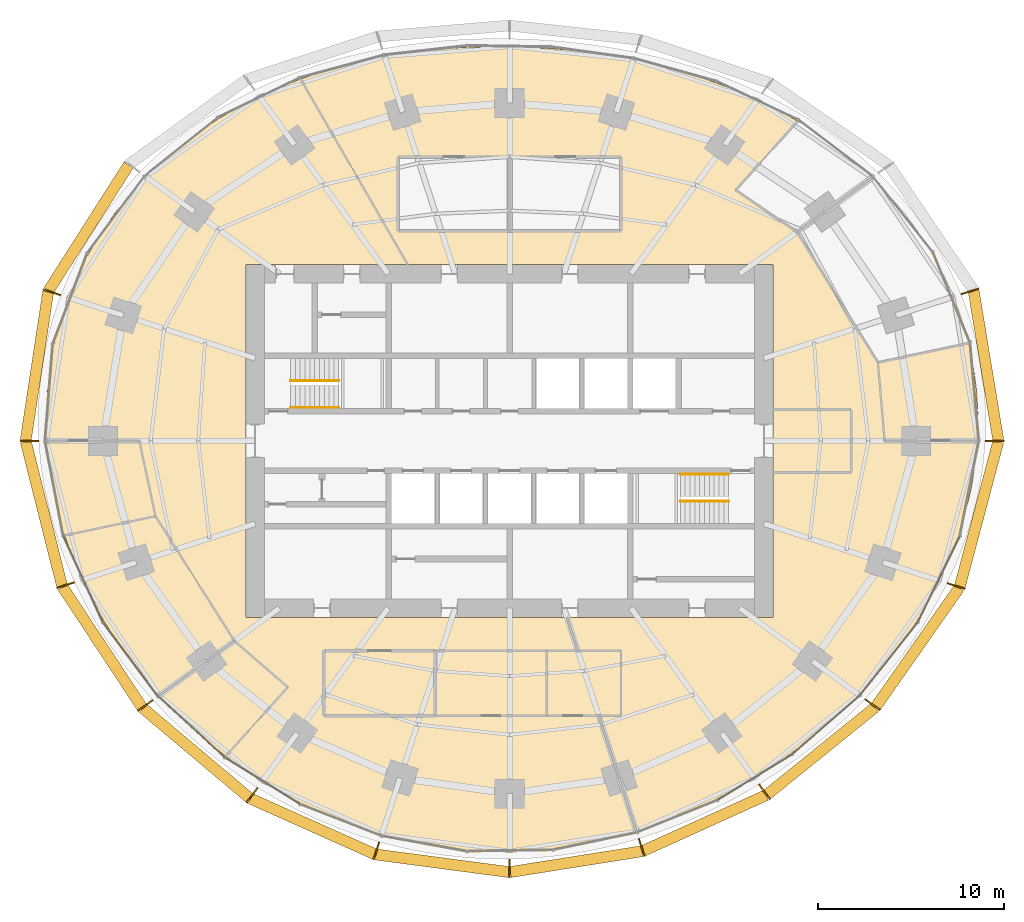
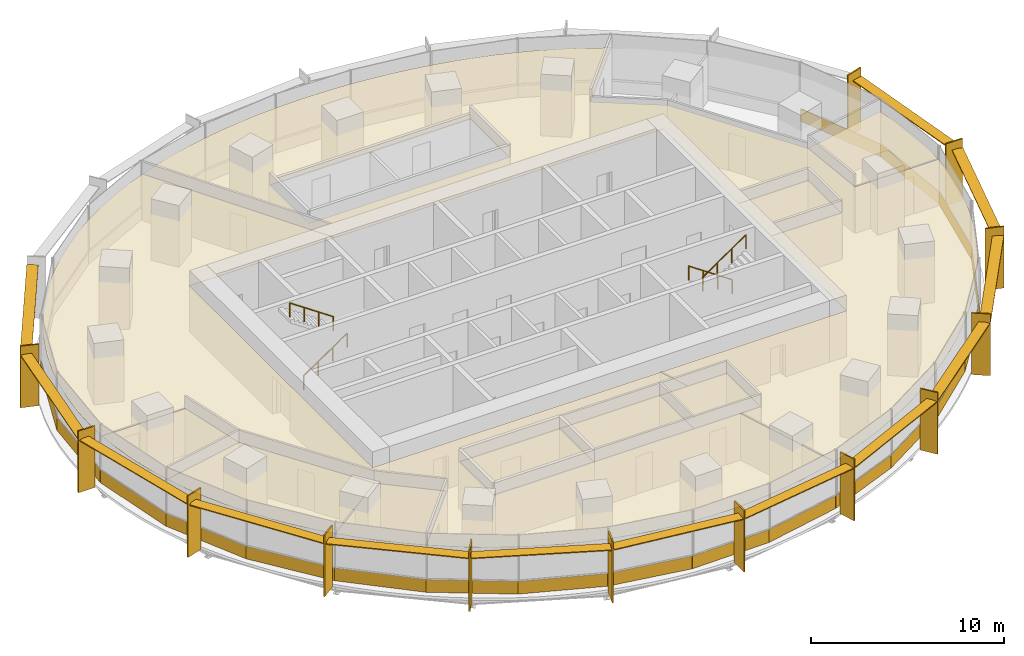
# One storey, part 13 of 14: 29 coverings, 26 shading devices, 4 railings.
"""IFC4 building model written with IfcOpenShell, lengths in metres."""

from ifc_helpers import new_model, si_unit, direction, frame, origin, origin_2d, place, context, subcontext, project, spatial, polyline, rectangle, circle, outline, extrude, material, layer, layer_set, type_object, element, save


model = new_model("IFC4")

# Units and contexts
model_context = context("Model", 3, precision=1e-05, world=origin(), true_north=direction((0.0, 1.0)))
body_context = subcontext(model_context, "Body", "Model", "MODEL_VIEW")
ifc_project = project(units=[si_unit("LENGTHUNIT", "METRE"), si_unit("AREAUNIT", "SQUARE_METRE"), si_unit("VOLUMEUNIT", "CUBIC_METRE"), si_unit("PLANEANGLEUNIT", "RADIAN"), si_unit("MASSUNIT", "GRAM", prefix="KILO")], contexts=[model_context])

# Site, building, storey
site_placement = place(None, origin())
site = spatial("IfcSite", under=ifc_project, at=site_placement, CompositionType="ELEMENT")
building_placement = place(site_placement, origin())
building = spatial("IfcBuilding", under=site, at=building_placement, Name="Marramba Exchange Tower", CompositionType="ELEMENT")
storey_placement = place(building_placement, frame((0.0, 0.0, 100.199951171875)))
storey = spatial("IfcBuildingStorey", under=building, at=storey_placement, Name="L23", CompositionType="ELEMENT", Elevation=100.199951171875)

# Shading devices
ifc_material_1 = material(Name="Aluminium blade, timber-look bronze finish", Category="wood")
ifc_layer_1 = layer(ifc_material_1, 0.080078125)
ifc_layer_set_1 = layer_set([ifc_layer_1], Name="Floor-edge blade 1000x80")
shading_device_type_1 = type_object("IfcShadingDeviceType", Name="Floor-edge blade 1000x80", PredefinedType="USERDEFINED", material=ifc_layer_set_1)
for number, where, z_axis, x_axis, name in (
    (1, (26.132080078125, 0.0, -0.159912109375), (0.0, 0.0, 1.0), (1.0, 0.0, 0.0), "Floor-edge blade FB1 L23 TC01"),
    (2, (24.798583984375, 8.0576171875, -0.159912109375), (0.0, 0.0, 1.0), (0.951056516295, 0.309016994375, 0.0), "Floor-edge blade FB1 L23 TC02"),
    (3, (-24.653076171875, 8.01025390625, -0.159912109375), (0.0, 0.0, 1.0), (-0.951056516295, 0.309016994375, 0.0), "Floor-edge blade FB1 L23 TC10"),
    (4, (-25.867919921875, 0.0, -0.159912109375), (0.0, 0.0, 1.0), (-1.0, 0.0, 0.0), "Floor-edge blade FB1 L23 TC11"),
    (5, (-23.90673828125, -7.767822265625, -0.159912109375), (0.0, 0.0, 1.0), (-0.951056516295, -0.309016994375, 0.0), "Floor-edge blade FB1 L23 TC12"),
    (6, (-19.618408203125, -14.253662109375, -0.159912109375), (0.0, 0.0, 1.0), (-0.809016994375, -0.587785252292, 0.0), "Floor-edge blade FB1 L23 TC13"),
    (7, (-13.866943359375, -19.08642578125, -0.159912109375), (0.0, 0.0, 1.0), (-0.587785252292, -0.809016994375, 0.0), "Floor-edge blade FB1 L23 TC14"),
    (8, (-7.173828125, -22.078857421875, -0.159912109375), (0.0, 0.0, 1.0), (-0.309016994375, -0.951056516295, 0.0), "Floor-edge blade FB1 L23 TC15"),
    (9, (0.0, -23.02685546875, -0.159912109375), (0.0, 0.0, 1.0), (0.0, -1.0, 0.0), "Floor-edge blade FB1 L23 TC16"),
    (10, (7.115966796875, -21.900634765625, -0.159912109375), (0.0, 0.0, 1.0), (0.309016994375, -0.951056516295, 0.0), "Floor-edge blade FB1 L23 TC17"),
    (11, (13.733154296875, -18.902099609375, -0.159912109375), (0.0, 0.0, 1.0), (0.587785252292, -0.809016994375, 0.0), "Floor-edge blade FB1 L23 TC18"),
    (12, (19.555908203125, -14.208251953125, -0.159912109375), (0.0, 0.0, 1.0), (0.809016994375, -0.587785252292, 0.0), "Floor-edge blade FB1 L23 TC19"),
    (13, (24.052001953125, -7.81494140625, -0.159912109375), (0.0, 0.0, 1.0), (0.951056516295, -0.309016994375, 0.0), "Floor-edge blade FB1 L23 TC20"),
):
    element("IfcShadingDevice", number, at=place(storey_placement, frame(where, z_axis=z_axis, x_axis=x_axis)), inside=storey, type_object=shading_device_type_1, Name=name, ObjectType="FIN", PredefinedType="USERDEFINED", context=body_context, shape_type="SweptSolid", body=[
        extrude(rectangle(XDim=1.0, YDim=0.080078125, at=origin_2d()), origin(), (0.0, 0.0, 1.0), 3.89990234375),
    ])
ifc_material_2 = material(Name="Aluminium sunshade, bronze anodised", Category="aluminium")
ifc_layer_2 = layer(ifc_material_2, 0.06005859375)
ifc_layer_set_2 = layer_set([ifc_layer_2], Name="SUNSHADE blade 600x60")
shading_device_type_2 = type_object("IfcShadingDeviceType", Name="SUNSHADE blade 600x60", PredefinedType="USERDEFINED", material=ifc_layer_set_2)
shading_device_1_placement = place(storey_placement, frame((25.660400390625, 4.0595703125, 3.159912109375), z_axis=(0.0, 0.0, 1.0), x_axis=(-0.163227675764, 0.986588427798, 0.0)))
element("IfcShadingDevice", 14, at=shading_device_1_placement, inside=storey, type_object=shading_device_type_2, Name="Sunshade SS1 L23 bay 01", ObjectType="SUNSHADE", PredefinedType="USERDEFINED", context=body_context, shape_type="SweptSolid", body=[
    extrude(rectangle(XDim=8.149658203125, YDim=0.60009765625, at=origin_2d()), origin(), (0.0, 0.0, 1.0), 0.06005859375),
])
shading_device_2_placement = place(storey_placement, frame((-22.6708984375, 11.482421875, 3.159912109375), z_axis=(0.0, 0.0, 1.0), x_axis=(-0.537284770546, -0.843400898351, 0.0)))
element("IfcShadingDevice", 15, at=shading_device_2_placement, inside=storey, type_object=shading_device_type_2, Name="Sunshade SS1 L23 bay 09", ObjectType="SUNSHADE", PredefinedType="USERDEFINED", context=body_context, shape_type="SweptSolid", body=[
    extrude(rectangle(XDim=8.007080078125, YDim=0.60009765625, at=origin_2d()), origin(), (0.0, 0.0, 1.0), 0.06005859375),
])
shading_device_3_placement = place(storey_placement, frame((-25.455810546875, 4.0361328125, 3.159912109375), z_axis=(0.0, 0.0, 1.0), x_axis=(-0.14999307077, -0.988687047918, 0.0)))
element("IfcShadingDevice", 16, at=shading_device_3_placement, inside=storey, type_object=shading_device_type_2, Name="Sunshade SS1 L23 bay 10", ObjectType="SUNSHADE", PredefinedType="USERDEFINED", context=body_context, shape_type="SweptSolid", body=[
    extrude(rectangle(XDim=8.08447265625, YDim=0.60009765625, at=origin_2d()), origin(), (0.0, 0.0, 1.0), 0.06005859375),
])
shading_device_4_placement = place(storey_placement, frame((-25.08251953125, -3.914794921875, 3.159912109375), z_axis=(0.0, 0.0, 1.0), x_axis=(0.244116522902, -0.969745906537, 0.0)))
element("IfcShadingDevice", 17, at=shading_device_4_placement, inside=storey, type_object=shading_device_type_2, Name="Sunshade SS1 L23 bay 11", ObjectType="SUNSHADE", PredefinedType="USERDEFINED", context=body_context, shape_type="SweptSolid", body=[
    extrude(rectangle(XDim=7.993896484375, YDim=0.60009765625, at=origin_2d()), origin(), (0.0, 0.0, 1.0), 0.06005859375),
])
shading_device_5_placement = place(storey_placement, frame((-21.938720703125, -11.100341796875, 3.159912109375), z_axis=(0.0, 0.0, 1.0), x_axis=(0.550792342935, -0.834642315585, 0.0)))
element("IfcShadingDevice", 18, at=shading_device_5_placement, inside=storey, type_object=shading_device_type_2, Name="Sunshade SS1 L23 bay 12", ObjectType="SUNSHADE", PredefinedType="USERDEFINED", context=body_context, shape_type="SweptSolid", body=[
    extrude(rectangle(XDim=7.757568359375, YDim=0.60009765625, at=origin_2d()), origin(), (0.0, 0.0, 1.0), 0.06005859375),
])
shading_device_6_placement = place(storey_placement, frame((-16.88232421875, -16.8095703125, 3.159912109375), z_axis=(0.0, 0.0, 1.0), x_axis=(0.76513863304, -0.643865569998, 0.0)))
element("IfcShadingDevice", 19, at=shading_device_6_placement, inside=storey, type_object=shading_device_type_2, Name="Sunshade SS1 L23 bay 13", ObjectType="SUNSHADE", PredefinedType="USERDEFINED", context=body_context, shape_type="SweptSolid", body=[
    extrude(rectangle(XDim=7.49462890625, YDim=0.60009765625, at=origin_2d()), origin(), (0.0, 0.0, 1.0), 0.06005859375),
])
shading_device_7_placement = place(storey_placement, frame((-10.610107421875, -20.758544921875, 3.159912109375), z_axis=(0.0, 0.0, 1.0), x_axis=(0.912735880581, -0.408550134377, 0.0)))
element("IfcShadingDevice", 20, at=shading_device_7_placement, inside=storey, type_object=shading_device_type_2, Name="Sunshade SS1 L23 bay 14", ObjectType="SUNSHADE", PredefinedType="USERDEFINED", context=body_context, shape_type="SweptSolid", body=[
    extrude(rectangle(XDim=7.314208984375, YDim=0.60009765625, at=origin_2d()), origin(), (0.0, 0.0, 1.0), 0.06005859375),
])
shading_device_8_placement = place(storey_placement, frame((-3.617919921875, -22.748046875, 3.159912109375), z_axis=(0.0, 0.0, 1.0), x_axis=(0.991350478855, -0.131241106646, 0.0)))
element("IfcShadingDevice", 21, at=shading_device_8_placement, inside=storey, type_object=shading_device_type_2, Name="Sunshade SS1 L23 bay 15", ObjectType="SUNSHADE", PredefinedType="USERDEFINED", context=body_context, shape_type="SweptSolid", body=[
    extrude(rectangle(XDim=7.21875, YDim=0.60009765625, at=origin_2d()), origin(), (0.0, 0.0, 1.0), 0.06005859375),
])
shading_device_9_placement = place(storey_placement, frame((3.5888671875, -22.658935546875, 3.159912109375), z_axis=(0.0, 0.0, 1.0), x_axis=(0.987704817912, 0.15633039587, 0.0)))
element("IfcShadingDevice", 22, at=shading_device_9_placement, inside=storey, type_object=shading_device_type_2, Name="Sunshade SS1 L23 bay 16", ObjectType="SUNSHADE", PredefinedType="USERDEFINED", context=body_context, shape_type="SweptSolid", body=[
    extrude(rectangle(XDim=7.18701171875, YDim=0.60009765625, at=origin_2d()), origin(), (0.0, 0.0, 1.0), 0.06005859375),
])
shading_device_10_placement = place(storey_placement, frame((10.514404296875, -20.577392578125, 3.159912109375), z_axis=(0.0, 0.0, 1.0), x_axis=(0.910692240548, 0.413085515366, 0.0)))
element("IfcShadingDevice", 23, at=shading_device_10_placement, inside=storey, type_object=shading_device_type_2, Name="Sunshade SS1 L23 bay 17", ObjectType="SUNSHADE", PredefinedType="USERDEFINED", context=body_context, shape_type="SweptSolid", body=[
    extrude(rectangle(XDim=7.24755859375, YDim=0.60009765625, at=origin_2d()), origin(), (0.0, 0.0, 1.0), 0.06005859375),
])
shading_device_11_placement = place(storey_placement, frame((16.7841796875, -16.69482421875, 3.159912109375), z_axis=(0.0, 0.0, 1.0), x_axis=(0.777962439436, 0.628310785223, 0.0)))
element("IfcShadingDevice", 24, at=shading_device_11_placement, inside=storey, type_object=shading_device_type_2, Name="Sunshade SS1 L23 bay 18", ObjectType="SUNSHADE", PredefinedType="USERDEFINED", context=body_context, shape_type="SweptSolid", body=[
    extrude(rectangle(XDim=7.46142578125, YDim=0.60009765625, at=origin_2d()), origin(), (0.0, 0.0, 1.0), 0.06005859375),
])
shading_device_12_placement = place(storey_placement, frame((21.97998046875, -11.101318359375, 3.159912109375), z_axis=(0.0, 0.0, 1.0), x_axis=(0.574350885858, 0.818609222959, 0.0)))
element("IfcShadingDevice", 25, at=shading_device_12_placement, inside=storey, type_object=shading_device_type_2, Name="Sunshade SS1 L23 bay 19", ObjectType="SUNSHADE", PredefinedType="USERDEFINED", context=body_context, shape_type="SweptSolid", body=[
    extrude(rectangle(XDim=7.7978515625, YDim=0.60009765625, at=origin_2d()), origin(), (0.0, 0.0, 1.0), 0.06005859375),
])
shading_device_13_placement = place(storey_placement, frame((25.287109375, -3.9384765625, 3.159912109375), z_axis=(0.0, 0.0, 1.0), x_axis=(0.256422950151, 0.966564674833, 0.0)))
element("IfcShadingDevice", 26, at=shading_device_13_placement, inside=storey, type_object=shading_device_type_2, Name="Sunshade SS1 L23 bay 20", ObjectType="SUNSHADE", PredefinedType="USERDEFINED", context=body_context, shape_type="SweptSolid", body=[
    extrude(rectangle(XDim=8.0693359375, YDim=0.60009765625, at=origin_2d()), origin(), (0.0, 0.0, 1.0), 0.06005859375),
])

# Coverings
ifc_material_3 = material(Name="Aluminium spandrel panel, bronze anodised, insulated", Category="aluminium")
ifc_layer_3 = layer(ifc_material_3, 0.050048828125)
ifc_layer_set_3 = layer_set([ifc_layer_3], Name="Spandrel panel 800")
covering_type_1 = type_object("IfcCoveringType", Name="Spandrel panel 800", PredefinedType="CLADDING", material=ifc_layer_set_3)
covering_1_placement = place(storey_placement, frame((25.04541015625, 2.63671875, 0.0), z_axis=(0.0, 0.0, 1.0), x_axis=(-0.089412890131, 0.995994646109, 0.0)))
element("IfcCovering", 27, at=covering_1_placement, inside=storey, type_object=covering_type_1, Name="Spandrel panel SP1 L23 F01", PredefinedType="CLADDING", context=body_context, shape_type="SweptSolid", body=[
    extrude(rectangle(XDim=5.29443359375, YDim=0.050048828125, at=origin_2d()), origin(), (0.0, 0.0, 1.0), 0.800048828125),
])
covering_2_placement = place(storey_placement, frame((23.81201171875, 7.715576171875, 0.0), z_axis=(0.0, 0.0, 1.0), x_axis=(-0.377821185272, 0.925878583811, 0.0)))
element("IfcCovering", 28, at=covering_2_placement, inside=storey, type_object=covering_type_1, Name="Spandrel panel SP1 L23 F02", PredefinedType="CLADDING", context=body_context, shape_type="SweptSolid", body=[
    extrude(rectangle(XDim=5.27587890625, YDim=0.050048828125, at=origin_2d()), origin(), (0.0, 0.0, 1.0), 0.800048828125),
])
covering_3_placement = place(storey_placement, frame((-23.671875, 7.677490234375, 0.0), z_axis=(0.0, 0.0, 1.0), x_axis=(-0.354844476365, -0.934925343326, 0.0)))
element("IfcCovering", 29, at=covering_3_placement, inside=storey, type_object=covering_type_1, Name="Spandrel panel SP1 L23 F14", PredefinedType="CLADDING", context=body_context, shape_type="SweptSolid", body=[
    extrude(rectangle(XDim=5.2373046875, YDim=0.050048828125, at=origin_2d()), origin(), (0.0, 0.0, 1.0), 0.800048828125),
])
covering_4_placement = place(storey_placement, frame((-24.8095703125, 2.614501953125, 0.0), z_axis=(0.0, 0.0, 1.0), x_axis=(-0.079459700697, -0.996838079111, 0.0)))
element("IfcCovering", 30, at=covering_4_placement, inside=storey, type_object=covering_type_1, Name="Spandrel panel SP1 L23 F15", PredefinedType="CLADDING", context=body_context, shape_type="SweptSolid", body=[
    extrude(rectangle(XDim=5.245849609375, YDim=0.050048828125, at=origin_2d()), origin(), (0.0, 0.0, 1.0), 0.800048828125),
])
covering_5_placement = place(storey_placement, frame((-24.5283203125, -2.5546875, 0.0), z_axis=(0.0, 0.0, 1.0), x_axis=(0.188227222909, -0.982125507538, 0.0)))
element("IfcCovering", 31, at=covering_5_placement, inside=storey, type_object=covering_type_1, Name="Spandrel panel SP1 L23 F16", PredefinedType="CLADDING", context=body_context, shape_type="SweptSolid", body=[
    extrude(rectangle(XDim=5.20263671875, YDim=0.050048828125, at=origin_2d()), origin(), (0.0, 0.0, 1.0), 0.800048828125),
])
covering_6_placement = place(storey_placement, frame((-22.973876953125, -7.43212890625, 0.0), z_axis=(0.0, 0.0, 1.0), x_axis=(0.416737850896, -0.909026712275, 0.0)))
element("IfcCovering", 32, at=covering_6_placement, inside=storey, type_object=covering_type_1, Name="Spandrel panel SP1 L23 F17", PredefinedType="CLADDING", context=body_context, shape_type="SweptSolid", body=[
    extrude(rectangle(XDim=5.10986328125, YDim=0.050048828125, at=origin_2d()), origin(), (0.0, 0.0, 1.0), 0.800048828125),
])
covering_7_placement = place(storey_placement, frame((-20.419921875, -11.75439453125, 0.0), z_axis=(0.0, 0.0, 1.0), x_axis=(0.597304701232, -0.802014397555, 0.0)))
element("IfcCovering", 33, at=covering_7_placement, inside=storey, type_object=covering_type_1, Name="Spandrel panel SP1 L23 F18", PredefinedType="CLADDING", context=body_context, shape_type="SweptSolid", body=[
    extrude(rectangle(XDim=4.986572265625, YDim=0.050048828125, at=origin_2d()), origin(), (0.0, 0.0, 1.0), 0.800048828125),
])
covering_8_placement = place(storey_placement, frame((-17.135986328125, -15.39599609375, 0.0), z_axis=(0.0, 0.0, 1.0), x_axis=(0.737821889246, -0.674995451651, 0.0)))
element("IfcCovering", 34, at=covering_8_placement, inside=storey, type_object=covering_type_1, Name="Spandrel panel SP1 L23 F19", PredefinedType="CLADDING", context=body_context, shape_type="SweptSolid", body=[
    extrude(rectangle(XDim=4.865234375, YDim=0.050048828125, at=origin_2d()), origin(), (0.0, 0.0, 1.0), 0.800048828125),
])
covering_9_placement = place(storey_placement, frame((-13.31787109375, -18.300537109375, 0.0), z_axis=(0.0, 0.0, 1.0), x_axis=(0.848354599309, -0.529428440708, 0.0)))
element("IfcCovering", 35, at=covering_9_placement, inside=storey, type_object=covering_type_1, Name="Spandrel panel SP1 L23 F20", PredefinedType="CLADDING", context=body_context, shape_type="SweptSolid", body=[
    extrude(rectangle(XDim=4.76953125, YDim=0.050048828125, at=origin_2d()), origin(), (0.0, 0.0, 1.0), 0.800048828125),
])
covering_10_placement = place(storey_placement, frame((-9.10302734375, -20.416748046875, 0.0), z_axis=(0.0, 0.0, 1.0), x_axis=(0.931818387481, -0.362924913381, 0.0)))
element("IfcCovering", 36, at=covering_10_placement, inside=storey, type_object=covering_type_1, Name="Spandrel panel SP1 L23 F21", PredefinedType="CLADDING", context=body_context, shape_type="SweptSolid", body=[
    extrude(rectangle(XDim=4.704345703125, YDim=0.050048828125, at=origin_2d()), origin(), (0.0, 0.0, 1.0), 0.800048828125),
])
covering_11_placement = place(storey_placement, frame((-4.616943359375, -21.685302734375, 0.0), z_axis=(0.0, 0.0, 1.0), x_axis=(0.984031866928, -0.177992373069, 0.0)))
element("IfcCovering", 37, at=covering_11_placement, inside=storey, type_object=covering_type_1, Name="Spandrel panel SP1 L23 F22", PredefinedType="CLADDING", context=body_context, shape_type="SweptSolid", body=[
    extrude(rectangle(XDim=4.662841796875, YDim=0.050048828125, at=origin_2d()), origin(), (0.0, 0.0, 1.0), 0.800048828125),
])
covering_12_placement = place(storey_placement, frame((-0.003662109375, -22.065185546875, 0.0), z_axis=(0.0, 0.0, 1.0), x_axis=(0.999884797651, 0.015178650325, 0.0)))
element("IfcCovering", 38, at=covering_12_placement, inside=storey, type_object=covering_type_1, Name="Spandrel panel SP1 L23 F23", PredefinedType="CLADDING", context=body_context, shape_type="SweptSolid", body=[
    extrude(rectangle(XDim=4.638916015625, YDim=0.050048828125, at=origin_2d()), origin(), (0.0, 0.0, 1.0), 0.800048828125),
])
covering_13_placement = place(storey_placement, frame((4.58447265625, -21.56103515625, 0.0), z_axis=(0.0, 0.0, 1.0), x_axis=(0.979310200528, 0.202364846604, 0.0)))
element("IfcCovering", 39, at=covering_13_placement, inside=storey, type_object=covering_type_1, Name="Spandrel panel SP1 L23 F24", PredefinedType="CLADDING", context=body_context, shape_type="SweptSolid", body=[
    extrude(rectangle(XDim=4.6337890625, YDim=0.050048828125, at=origin_2d()), origin(), (0.0, 0.0, 1.0), 0.800048828125),
])
covering_14_placement = place(storey_placement, frame((9.014892578125, -20.225341796875, 0.0), z_axis=(0.0, 0.0, 1.0), x_axis=(0.928148914987, 0.372209069755, 0.0)))
element("IfcCovering", 40, at=covering_14_placement, inside=storey, type_object=covering_type_1, Name="Spandrel panel SP1 L23 F25", PredefinedType="CLADDING", context=body_context, shape_type="SweptSolid", body=[
    extrude(rectangle(XDim=4.657958984375, YDim=0.050048828125, at=origin_2d()), origin(), (0.0, 0.0, 1.0), 0.800048828125),
])
covering_15_placement = place(storey_placement, frame((13.193115234375, -18.125244140625, 0.0), z_axis=(0.0, 0.0, 1.0), x_axis=(0.853109118827, 0.521732528576, 0.0)))
element("IfcCovering", 41, at=covering_15_placement, inside=storey, type_object=covering_type_1, Name="Spandrel panel SP1 L23 F26", PredefinedType="CLADDING", context=body_context, shape_type="SweptSolid", body=[
    extrude(rectangle(XDim=4.7275390625, YDim=0.050048828125, at=origin_2d()), origin(), (0.0, 0.0, 1.0), 0.800048828125),
])
covering_16_placement = place(storey_placement, frame((17.038818359375, -15.30029296875, 0.0), z_axis=(0.0, 0.0, 1.0), x_axis=(0.754385510875, 0.656431642277, 0.0)))
element("IfcCovering", 42, at=covering_16_placement, inside=storey, type_object=covering_type_1, Name="Spandrel panel SP1 L23 F27", PredefinedType="CLADDING", context=body_context, shape_type="SweptSolid", body=[
    extrude(rectangle(XDim=4.849609375, YDim=0.050048828125, at=origin_2d()), origin(), (0.0, 0.0, 1.0), 0.800048828125),
])
covering_17_placement = place(storey_placement, frame((20.425048828125, -11.747802734375, 0.0), z_axis=(0.0, 0.0, 1.0), x_axis=(0.621807470279, 0.783170141097, 0.0)))
element("IfcCovering", 43, at=covering_17_placement, inside=storey, type_object=covering_type_1, Name="Spandrel panel SP1 L23 F28", PredefinedType="CLADDING", context=body_context, shape_type="SweptSolid", body=[
    extrude(rectangle(XDim=5.00732421875, YDim=0.050048828125, at=origin_2d()), origin(), (0.0, 0.0, 1.0), 0.800048828125),
])
covering_18_placement = place(storey_placement, frame((23.114013671875, -7.47021484375, 0.0), z_axis=(0.0, 0.0, 1.0), x_axis=(0.439086346903, 0.898444867515, 0.0)))
element("IfcCovering", 44, at=covering_18_placement, inside=storey, type_object=covering_type_1, Name="Spandrel panel SP1 L23 F29", PredefinedType="CLADDING", context=body_context, shape_type="SweptSolid", body=[
    extrude(rectangle(XDim=5.156982421875, YDim=0.050048828125, at=origin_2d()), origin(), (0.0, 0.0, 1.0), 0.800048828125),
])
covering_19_placement = place(storey_placement, frame((24.76416015625, -2.576904296875, 0.0), z_axis=(0.0, 0.0, 1.0), x_axis=(0.197048514193, 0.980393738788, 0.0)))
element("IfcCovering", 45, at=covering_19_placement, inside=storey, type_object=covering_type_1, Name="Spandrel panel SP1 L23 F30", PredefinedType="CLADDING", context=body_context, shape_type="SweptSolid", body=[
    extrude(rectangle(XDim=5.2568359375, YDim=0.050048828125, at=origin_2d()), origin(), (0.0, 0.0, 1.0), 0.800048828125),
])

# Railings
ifc_material_4 = material(Name="Stainless steel handrail", Category="steel")
railing_type = type_object("IfcRailingType", Name="Stair handrail 900", PredefinedType="HANDRAIL", material=ifc_material_4)
railing_1_placement = place(storey_placement, frame((-11.800048828125, 1.800048828125, 0.17724609375)))
element("IfcRailing", 46, at=railing_1_placement, inside=storey, type_object=railing_type, Name="Handrail HR1 ST1 L23 flight 1", PredefinedType="HANDRAIL", context=body_context, shape_type="SweptSolid", body=[
    extrude(circle(Radius=0.02392578125, at=origin_2d()), frame((0.0, 0.0, 0.8759765625), z_axis=(0.826240473404, 0.0, 0.563317565952), x_axis=(0.0, 1.0, 0.0)), (0.0, 0.0, 1.0), 3.14697265625),
    extrude(circle(Radius=0.02099609375, at=origin_2d()), origin(), (0.0, 0.0, 1.0), 0.851806640625),
    extrude(circle(Radius=0.02099609375, at=origin_2d()), frame((0.86669921875, 0.0, 0.5908203125)), (0.0, 0.0, 1.0), 0.851806640625),
    extrude(circle(Radius=0.02099609375, at=origin_2d()), frame((1.7333984375, 0.0, 1.181884765625)), (0.0, 0.0, 1.0), 0.851806640625),
    extrude(circle(Radius=0.02099609375, at=origin_2d()), frame((2.60009765625, 0.0, 1.772705078125)), (0.0, 0.0, 1.0), 0.851806640625),
])
for number, where, name in (
    (47, (-9.199951171875, 3.25, 2.12744140625), "Handrail HR1 ST1 L23 flight 2"),
    (48, (11.800048828125, -1.800048828125, 0.17724609375), "Handrail HR1 ST2 L23 flight 1"),
):
    element("IfcRailing", number, at=place(storey_placement, frame(where)), inside=storey, type_object=railing_type, Name=name, PredefinedType="HANDRAIL", context=body_context, shape_type="SweptSolid", body=[
        extrude(circle(Radius=0.02392578125, at=origin_2d()), frame((0.0, 0.0, 0.8759765625), z_axis=(-0.826240473404, 0.0, 0.563317565952), x_axis=(0.0, -1.0, 0.0)), (0.0, 0.0, 1.0), 3.14697265625),
        extrude(circle(Radius=0.02099609375, at=origin_2d()), origin(), (0.0, 0.0, 1.0), 0.851806640625),
        extrude(circle(Radius=0.02099609375, at=origin_2d()), frame((-0.86669921875, 0.0, 0.5908203125)), (0.0, 0.0, 1.0), 0.851806640625),
        extrude(circle(Radius=0.02099609375, at=origin_2d()), frame((-1.7333984375, 0.0, 1.181884765625)), (0.0, 0.0, 1.0), 0.851806640625),
        extrude(circle(Radius=0.02099609375, at=origin_2d()), frame((-2.60009765625, 0.0, 1.772705078125)), (0.0, 0.0, 1.0), 0.851806640625),
    ])
railing_2_placement = place(storey_placement, frame((9.199951171875, -3.25, 2.12744140625)))
element("IfcRailing", 49, at=railing_2_placement, inside=storey, type_object=railing_type, Name="Handrail HR1 ST2 L23 flight 2", PredefinedType="HANDRAIL", context=body_context, shape_type="SweptSolid", body=[
    extrude(circle(Radius=0.02392578125, at=origin_2d()), frame((0.0, 0.0, 0.8759765625), z_axis=(0.826240473404, 0.0, 0.563317565952), x_axis=(0.0, 1.0, 0.0)), (0.0, 0.0, 1.0), 3.14697265625),
    extrude(circle(Radius=0.02099609375, at=origin_2d()), origin(), (0.0, 0.0, 1.0), 0.851806640625),
    extrude(circle(Radius=0.02099609375, at=origin_2d()), frame((0.86669921875, 0.0, 0.5908203125)), (0.0, 0.0, 1.0), 0.851806640625),
    extrude(circle(Radius=0.02099609375, at=origin_2d()), frame((1.7333984375, 0.0, 1.181884765625)), (0.0, 0.0, 1.0), 0.851806640625),
    extrude(circle(Radius=0.02099609375, at=origin_2d()), frame((2.60009765625, 0.0, 1.772705078125)), (0.0, 0.0, 1.0), 0.851806640625),
])

# Coverings
ifc_material_5 = material(Name="Mineral fibre ceiling tiles", Category="gypsum")
ifc_layer_4 = layer(ifc_material_5, 0.02001953125)
ifc_layer_set_4 = layer_set([ifc_layer_4], Name="Suspended ceiling 20")
covering_type_2 = type_object("IfcCoveringType", Name="Suspended ceiling 20", PredefinedType="CEILING", material=ifc_layer_set_4)
covering_20_placement = place(storey_placement, frame((0.0, 0.0, 2.900146484375)))
element("IfcCovering", 50, at=covering_20_placement, inside=storey, type_object=covering_type_2, Name="Ceiling CL1 L23 Market Supervision Office", PredefinedType="CEILING", context=body_context, shape_type="SweptSolid", body=[
    extrude(outline(polyline([(14.199951171875, -1.699951171875), (18.39990234375, -1.699951171875), (18.39990234375, 1.699951171875), (14.199951171875, 1.699951171875), (14.199951171875, 9.5), (-5.48486328125, 9.5), (-11.2548828125, 19.493896484375), (-10.127197265625, 19.875732421875), (-8.995361328125, 20.203857421875), (-7.862060546875, 20.4814453125), (-6.7294921875, 20.711181640625), (-5.59912109375, 20.896484375), (-4.47216796875, 21.0400390625), (-3.34912109375, 21.14453125), (-2.2294921875, 21.212158203125), (-1.11328125, 21.244384765625), (0.0, 21.2431640625), (1.111572265625, 21.208740234375), (2.22216796875, 21.1416015625), (3.332763671875, 21.041748046875), (4.444091796875, 20.907958984375), (5.556884765625, 20.739013671875), (6.671630859375, 20.533203125), (7.787841796875, 20.287841796875), (8.905029296875, 20.0009765625), (10.02197265625, 19.6689453125), (11.13671875, 19.289306640625), (12.24658203125, 18.8583984375), (13.348876953125, 18.373046875), (14.43896484375, 17.830810546875), (15.512451171875, 17.228271484375), (12.166748046875, 13.512451171875), (15.4765625, 11.244384765625), (19.839599609375, 4.217041015625), (20.201904296875, 0.0), (25.201904296875, 0.0), (25.077392578125, -1.314208984375), (24.8603515625, -2.61279296875), (24.555419921875, -3.88916015625), (24.16796875, -5.136962890625), (23.703125, -6.351318359375), (23.16748046875, -7.527587890625), (22.5673828125, -8.662841796875), (21.90869140625, -9.75439453125), (21.197509765625, -10.80078125), (20.439697265625, -11.80078125), (19.64013671875, -12.75439453125), (18.803466796875, -13.66162109375), (17.93359375, -14.5224609375), (17.033935546875, -15.33740234375), (16.107421875, -16.107421875), (15.156005859375, -16.83251953125), (14.181884765625, -17.51318359375), (13.1865234375, -18.14990234375), (12.171142578125, -18.741943359375), (11.13671875, -19.289306640625), (10.083984375, -19.791259765625), (9.0146484375, -20.2470703125), (7.928955078125, -20.65576171875), (6.82861328125, -21.01611328125), (4.808837890625, -14.800048828125), (6.0, -14.800048828125), (6.0, -11.300048828125), (3.671630859375, -11.300048828125), (3.086669921875, -9.5), (14.199951171875, -9.5), (14.199951171875, -1.699951171875)]), holes=[polyline([(-6.0, 11.300048828125), (0.0, 11.300048828125), (6.0, 11.300048828125), (6.0, 15.300048828125), (0.0, 15.300048828125), (-6.0, 15.300048828125), (-6.0, 11.300048828125)])]), origin(), (0.0, 0.0, 1.0), 0.02001953125),
])
covering_21_placement = place(storey_placement, frame((0.0, 0.0, 2.900146484375)))
element("IfcCovering", 51, at=covering_21_placement, inside=storey, type_object=covering_type_2, Name="Ceiling CL1 L23 Investigations Office", PredefinedType="CEILING", context=body_context, shape_type="SweptSolid", body=[
    extrude(outline(polyline([(-14.199951171875, -9.5), (3.086669921875, -9.5), (3.671630859375, -11.300048828125), (2.0, -11.300048828125), (-4.0, -11.300048828125), (-10.0, -11.300048828125), (-10.0, -14.800048828125), (-4.0, -14.800048828125), (2.0, -14.800048828125), (4.808837890625, -14.800048828125), (5.4091796875, -16.648193359375), (6.82861328125, -21.01611328125), (5.714599609375, -21.3271484375), (4.58837890625, -21.587158203125), (3.4521484375, -21.79541015625), (2.30712890625, -21.950439453125), (1.15576171875, -22.05126953125), (0.0, -22.096923828125), (-1.157470703125, -22.0869140625), (-2.314453125, -22.020751953125), (-3.468505859375, -21.898193359375), (-4.61669921875, -21.719482421875), (-5.7568359375, -21.484619140625), (-6.886474609375, -21.1943359375), (-8.00341796875, -20.84912109375), (-9.10498046875, -20.4501953125), (-10.189453125, -19.997802734375), (-11.2548828125, -19.493896484375), (-12.299072265625, -18.938720703125), (-13.3203125, -18.333984375), (-14.317138671875, -17.68017578125), (-15.28759765625, -16.978515625), (-11.94189453125, -13.2626953125), (-14.82080078125, -10.76806640625), (-19.069580078125, -4.053466796875), (-19.93798828125, 0.0), (-24.93798828125, 0.0), (-24.970947265625, 1.30859375), (-24.913330078125, 2.618408203125), (-24.76416015625, 3.92236328125), (-24.52294921875, 5.21240234375), (-24.1904296875, 6.481689453125), (-23.768798828125, 7.722900390625), (-23.260498046875, 8.928955078125), (-22.669677734375, 10.09326171875), (-22.0009765625, 11.2099609375), (-21.259765625, 12.2744140625), (-20.451904296875, 13.28173828125), (-19.583984375, 14.228759765625), (-18.66259765625, 15.11279296875), (-17.6943359375, 15.93212890625), (-16.685791015625, 16.685791015625), (-15.643798828125, 17.374267578125), (-14.57421875, 17.99755859375), (-13.482666015625, 18.55712890625), (-12.37451171875, 19.05517578125), (-11.2548828125, 19.493896484375), (-7.552978515625, 13.082275390625), (-5.48486328125, 9.5), (-14.199951171875, 9.5), (-14.199951171875, -9.5)])), origin(), (0.0, 0.0, 1.0), 0.02001953125),
])
covering_22_placement = place(storey_placement, frame((0.0, 0.0, 2.900146484375)))
element("IfcCovering", 52, at=covering_22_placement, inside=storey, type_object=covering_type_2, Name="Ceiling CL1 L23 Corridor", PredefinedType="CEILING", context=body_context, shape_type="SweptSolid", body=[
    extrude(outline(polyline([(14.199951171875, -1.699951171875), (14.199951171875, 1.699951171875), (18.39990234375, 1.699951171875), (18.39990234375, -1.699951171875), (14.199951171875, -1.699951171875)])), origin(), (0.0, 0.0, 1.0), 0.02001953125),
])
covering_23_placement = place(storey_placement, frame((0.0, 0.0, 2.900146484375)))
element("IfcCovering", 53, at=covering_23_placement, inside=storey, type_object=covering_type_2, Name="Ceiling CL1 L23 Compliance Office 2", PredefinedType="CEILING", context=body_context, shape_type="SweptSolid", body=[
    extrude(outline(polyline([(24.86328125, 4.6064453125), (24.99560546875, 3.958984375), (25.16259765625, 2.644775390625), (25.186279296875, 2.190185546875), (25.231201171875, 1.322265625), (25.201904296875, 0.0), (20.201904296875, 0.0), (19.839599609375, 4.217041015625), (24.73046875, 5.256591796875), (24.86328125, 4.6064453125)])), origin(), (0.0, 0.0, 1.0), 0.02001953125),
])
covering_24_placement = place(storey_placement, frame((0.0, 0.0, 2.900146484375)))
element("IfcCovering", 54, at=covering_24_placement, inside=storey, type_object=covering_type_2, Name="Ceiling CL1 L23 Compliance Office 4", PredefinedType="CEILING", context=body_context, shape_type="SweptSolid", body=[
    extrude(outline(polyline([(-24.113525390625, -4.57080078125), (-24.32421875, -3.8525390625), (-24.611083984375, -2.586669921875), (-24.81689453125, -1.300537109375), (-24.93798828125, 0.0), (-19.93798828125, 0.0), (-19.069580078125, -4.053466796875), (-23.96044921875, -5.093017578125), (-24.113525390625, -4.57080078125)])), origin(), (0.0, 0.0, 1.0), 0.02001953125),
])
covering_25_placement = place(storey_placement, frame((0.0, 0.0, 2.900146484375)))
element("IfcCovering", 55, at=covering_25_placement, inside=storey, type_object=covering_type_2, Name="Ceiling CL1 L23 Compliance Office 5", PredefinedType="CEILING", context=body_context, shape_type="SweptSolid", body=[
    extrude(outline(polyline([(-19.673095703125, -12.77587890625), (-20.439697265625, -11.80078125), (-21.162109375, -10.78271484375), (-21.4462890625, -10.33544921875), (-21.836181640625, -9.72216796875), (-22.188232421875, -9.098388671875), (-22.457763671875, -8.62060546875), (-23.022216796875, -7.48046875), (-23.407470703125, -6.57861328125), (-23.52490234375, -6.303466796875), (-23.96044921875, -5.093017578125), (-19.069580078125, -4.053466796875), (-14.82080078125, -10.76806640625), (-18.865966796875, -13.706787109375), (-19.673095703125, -12.77587890625)])), origin(), (0.0, 0.0, 1.0), 0.02001953125),
])
covering_26_placement = place(storey_placement, frame((0.0, 0.0, 2.900146484375)))
element("IfcCovering", 56, at=covering_26_placement, inside=storey, type_object=covering_type_2, Name="Ceiling CL1 L23 Compliance Office 6", PredefinedType="CEILING", context=body_context, shape_type="SweptSolid", body=[
    extrude(outline(polyline([(-15.601318359375, -16.72900390625), (-16.229736328125, -16.229736328125), (-17.1416015625, -15.434326171875), (-18.021240234375, -14.59326171875), (-18.23583984375, -14.3681640625), (-18.865966796875, -13.706787109375), (-14.82080078125, -10.76806640625), (-11.94189453125, -13.2626953125), (-15.28759765625, -16.978515625), (-15.601318359375, -16.72900390625)])), origin(), (0.0, 0.0, 1.0), 0.02001953125),
])
covering_27_placement = place(storey_placement, frame((0.0, 0.0, 2.900146484375)))
element("IfcCovering", 57, at=covering_27_placement, inside=storey, type_object=covering_type_2, Name="Ceiling CL1 L23 Records Store", PredefinedType="CEILING", context=body_context, shape_type="SweptSolid", body=[
    extrude(outline(polyline([(-4.0, -14.800048828125), (-10.0, -14.800048828125), (-10.0, -11.300048828125), (-4.0, -11.300048828125), (-4.0, -14.800048828125)])), origin(), (0.0, 0.0, 1.0), 0.02001953125),
])
covering_28_placement = place(storey_placement, frame((0.0, 0.0, 2.900146484375)))
element("IfcCovering", 58, at=covering_28_placement, inside=storey, type_object=covering_type_2, Name="Ceiling CL1 L23 Pantry", PredefinedType="CEILING", context=body_context, shape_type="SweptSolid", body=[
    extrude(outline(polyline([(2.0, -14.800048828125), (-4.0, -14.800048828125), (-4.0, -11.300048828125), (2.0, -11.300048828125), (2.0, -14.800048828125)])), origin(), (0.0, 0.0, 1.0), 0.02001953125),
])
covering_29_placement = place(storey_placement, frame((0.0, 0.0, 2.900146484375)))
element("IfcCovering", 59, at=covering_29_placement, inside=storey, type_object=covering_type_2, Name="Ceiling CL1 L23 Print Room", PredefinedType="CEILING", context=body_context, shape_type="SweptSolid", body=[
    extrude(outline(polyline([(6.0, -11.300048828125), (6.0, -14.800048828125), (2.0, -14.800048828125), (2.0, -11.300048828125), (6.0, -11.300048828125)])), origin(), (0.0, 0.0, 1.0), 0.02001953125),
])

save(model, "model.ifc")
